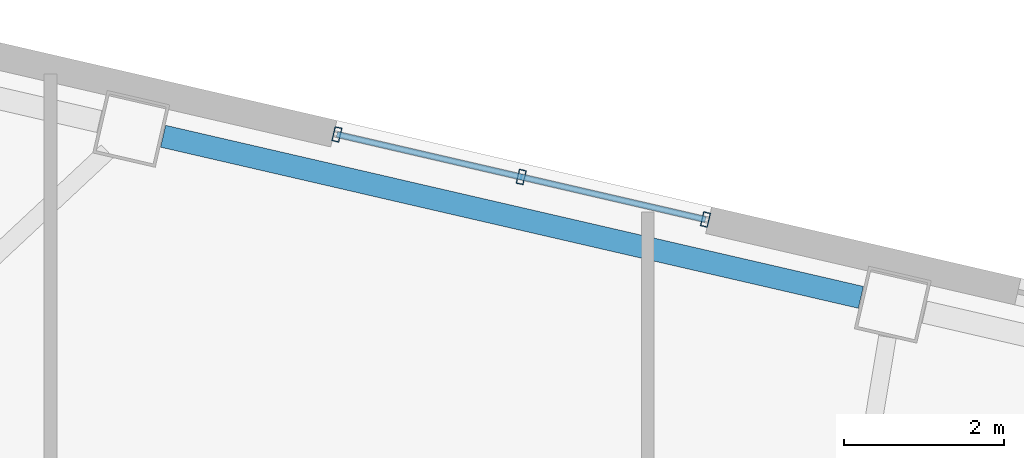
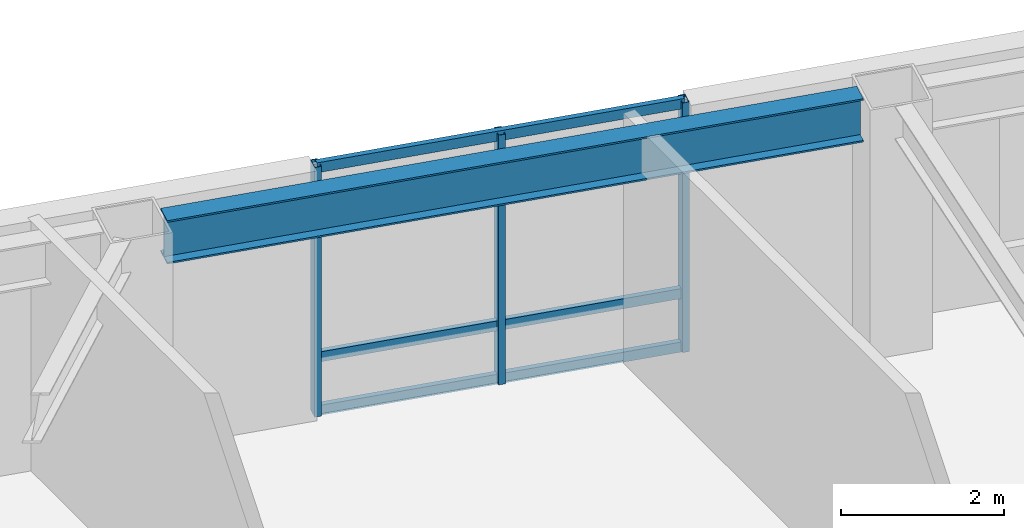
# One storey, part 8 of 22: 6 members, 1 beam, 1 element without a shape of its own.
"""IFC4 building model written with IfcOpenShell, lengths in metres."""

from ifc_helpers import new_model, si_unit, direction, frame, origin, origin_2d, place, context, subcontext, project, spatial, hollow_rectangle, i_section, extrude, material, layer, layer_set, material_profile, profile_set, type_object, element, aggregate, save


model = new_model("IFC4")

# Units and contexts
model_context = context("Model", 3, precision=1e-05, world=origin(), true_north=direction((0.0, 1.0)))
body_context = subcontext(model_context, "Body", "Model", "MODEL_VIEW")
ifc_project = project(units=[si_unit("LENGTHUNIT", "METRE"), si_unit("AREAUNIT", "SQUARE_METRE"), si_unit("VOLUMEUNIT", "CUBIC_METRE"), si_unit("PLANEANGLEUNIT", "RADIAN"), si_unit("MASSUNIT", "GRAM", prefix="KILO")], contexts=[model_context])

# Site, building, storey
site_placement = place(None, origin())
site = spatial("IfcSite", under=ifc_project, at=site_placement, CompositionType="ELEMENT")
building_placement = place(site_placement, origin())
building = spatial("IfcBuilding", under=site, at=building_placement, Name="Tavrogorsk Clinical Tower", CompositionType="ELEMENT")
storey_placement = place(building_placement, frame((0.0, 0.0, 55.39990234375)))
storey = spatial("IfcBuildingStorey", under=building, at=storey_placement, Name="L11", CompositionType="ELEMENT", Elevation=55.39990234375)

# Curtain wall, members
ifc_material_1 = material(Name="Anodised aluminium and triple IGU glazing", Category="aluminium")
ifc_layer = layer(ifc_material_1, 0.179931640625)
ifc_layer_set = layer_set([ifc_layer], Name="Anodised aluminium and triple IGU glazing")
curtain_wall_type = type_object("IfcCurtainWallType", Name="CW2_NorthSlot", PredefinedType="NOTDEFINED", material=ifc_layer_set)
curtain_wall_placement = place(storey_placement, origin())
curtain_wall = element("IfcCurtainWall", 1, at=curtain_wall_placement, inside=storey, type_object=curtain_wall_type, Name="L11 Curtain Wall CW-L11-N-SLOT-1", PredefinedType="NOTDEFINED")
ifc_material_2 = material(Name="Anodised aluminium alloy AW-6060", Category="aluminium")
ifc_material_profile_1 = material_profile(ifc_material_2, hollow_rectangle(XDim=0.090087890625, YDim=0.179931640625, WallThickness=0.00634765625, at=origin_2d()), Name="RHS-180x90x6.3")
ifc_profile_set_1 = profile_set([ifc_material_profile_1], Name="Anodised aluminium alloy AW-6060")
member_type_1 = type_object("IfcMemberType", Name="CwMullion_180x90", PredefinedType="MULLION", material=ifc_profile_set_1)
member_1_placement = place(storey_placement, frame((-3.879638671875, 24.640625, 0.0), z_axis=(0.0, 0.0, 1.0), x_axis=(-0.974370102963, 0.224950888978, 0.0)))
member_1 = element("IfcMember", 2, at=member_1_placement, type_object=member_type_1, Name="CW-L11-N-SLOT-1 Mullion 1", PredefinedType="MULLION", context=body_context, shape_type="SweptSolid", body=[
    extrude(hollow_rectangle(XDim=0.090087890625, YDim=0.179931640625, WallThickness=0.00634765625, at=origin_2d()), origin(), (0.0, 0.0, 1.0), 3.739990234375),
])
member_2_placement = place(storey_placement, frame((-6.17822265625, 25.171142578125, 0.0), z_axis=(0.0, 0.0, 1.0), x_axis=(-0.974370102963, 0.224950888978, 0.0)))
member_2 = element("IfcMember", 3, at=member_2_placement, type_object=member_type_1, Name="CW-L11-N-SLOT-1 Mullion 2", PredefinedType="MULLION", context=body_context, shape_type="SweptSolid", body=[
    extrude(hollow_rectangle(XDim=0.090087890625, YDim=0.179931640625, WallThickness=0.00634765625, at=origin_2d()), origin(), (0.0, 0.0, 1.0), 3.739990234375),
])
member_3_placement = place(storey_placement, frame((-8.476806640625, 25.701904296875, 0.0), z_axis=(0.0, 0.0, 1.0), x_axis=(-0.974370102963, 0.224950888978, 0.0)))
member_3 = element("IfcMember", 4, at=member_3_placement, type_object=member_type_1, Name="CW-L11-N-SLOT-1 Mullion 3", PredefinedType="MULLION", context=body_context, shape_type="SweptSolid", body=[
    extrude(hollow_rectangle(XDim=0.090087890625, YDim=0.179931640625, WallThickness=0.00634765625, at=origin_2d()), origin(), (0.0, 0.0, 1.0), 3.739990234375),
])
ifc_material_3 = material(Name="Anodised aluminium alloy AW-6060", Category="aluminium")
ifc_material_profile_2 = material_profile(ifc_material_3, hollow_rectangle(XDim=0.074951171875, YDim=0.14990234375, WallThickness=0.0048828125, at=origin_2d()), Name="RHS-150x75x5")
ifc_profile_set_2 = profile_set([ifc_material_profile_2], Name="Anodised aluminium alloy AW-6060")
member_type_2 = type_object("IfcMemberType", Name="CwTransom_150x75", PredefinedType="USERDEFINED", material=ifc_profile_set_2)
member_4_placement = place(storey_placement, frame((-3.879638671875, 24.640625, 0.050048828125), z_axis=(-0.974372877948, 0.22493886885, 0.0), x_axis=(-0.22493886885, -0.974372877948, 0.0)))
member_4 = element("IfcMember", 5, at=member_4_placement, type_object=member_type_2, Name="CW-L11-N-SLOT-1 Transom 1", ObjectType="TRANSOM", PredefinedType="USERDEFINED", context=body_context, shape_type="SweptSolid", body=[
    extrude(hollow_rectangle(XDim=0.074951171875, YDim=0.14990234375, WallThickness=0.0048828125, at=origin_2d()), origin(), (0.0, 0.0, 1.0), 4.718017578125),
])
member_5_placement = place(storey_placement, frame((-3.879638671875, 24.640625, 0.85009765625), z_axis=(-0.974372877948, 0.22493886885, 0.0), x_axis=(-0.22493886885, -0.974372877948, 0.0)))
member_5 = element("IfcMember", 6, at=member_5_placement, type_object=member_type_2, Name="CW-L11-N-SLOT-1 Transom 2", ObjectType="TRANSOM", PredefinedType="USERDEFINED", context=body_context, shape_type="SweptSolid", body=[
    extrude(hollow_rectangle(XDim=0.074951171875, YDim=0.14990234375, WallThickness=0.0048828125, at=origin_2d()), origin(), (0.0, 0.0, 1.0), 4.718017578125),
])
member_6_placement = place(storey_placement, frame((-3.879638671875, 24.640625, 3.690185546875), z_axis=(-0.974372877948, 0.22493886885, 0.0), x_axis=(-0.22493886885, -0.974372877948, 0.0)))
member_6 = element("IfcMember", 7, at=member_6_placement, type_object=member_type_2, Name="CW-L11-N-SLOT-1 Transom 3", ObjectType="TRANSOM", PredefinedType="USERDEFINED", context=body_context, shape_type="SweptSolid", body=[
    extrude(hollow_rectangle(XDim=0.074951171875, YDim=0.14990234375, WallThickness=0.0048828125, at=origin_2d()), origin(), (0.0, 0.0, 1.0), 4.718017578125),
])
aggregate(curtain_wall, [member_1, member_2, member_3, member_4, member_5, member_6])

# Beam
ifc_material_4 = material(Name="Structural steel S390", Category="steel")
ifc_material_profile_3 = material_profile(ifc_material_4, i_section(OverallWidth=0.280029296875, OverallDepth=0.64990234375, WebThickness=0.01611328125, FlangeThickness=0.02490234375, at=origin_2d()), Name="B-650x280x16x25")
ifc_profile_set_3 = profile_set([ifc_material_profile_3], Name="Structural steel S390")
beam_type = type_object("IfcBeamType", Name="SpandrelBeam_B650", PredefinedType="SPANDREL", material=ifc_profile_set_3)
beam_placement = place(storey_placement, frame((-1.941162109375, 23.669677734375, 3.4150390625), z_axis=(-0.974372766602, 0.224939351168, 0.0), x_axis=(-0.224939351168, -0.974372766602, 0.0)))
element("IfcBeam", 8, at=beam_placement, inside=storey, type_object=beam_type, Name="L11 Perimeter Spandrel N5-N6", PredefinedType="SPANDREL", context=body_context, shape_type="SweptSolid", body=[
    extrude(i_section(OverallWidth=0.280029296875, OverallDepth=0.64990234375, WebThickness=0.01611328125, FlangeThickness=0.02490234375, at=origin_2d()), origin(), (0.0, 0.0, 1.0), 8.9326171875),
])

save(model, "model.ifc")
